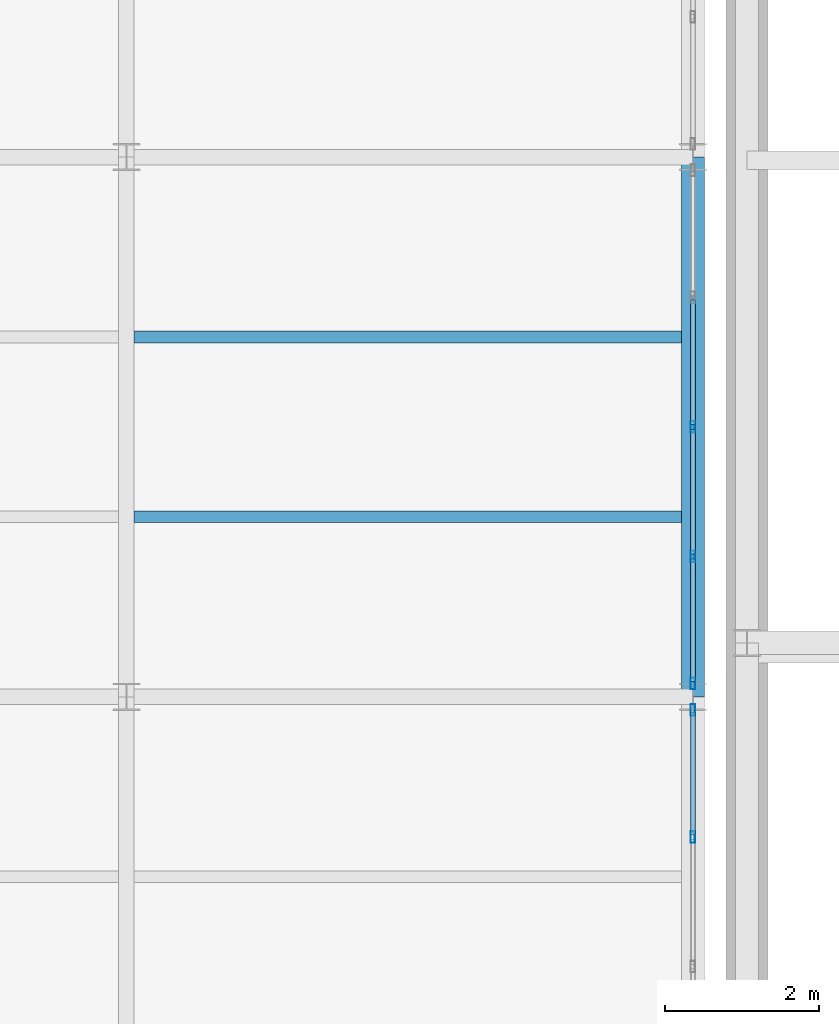
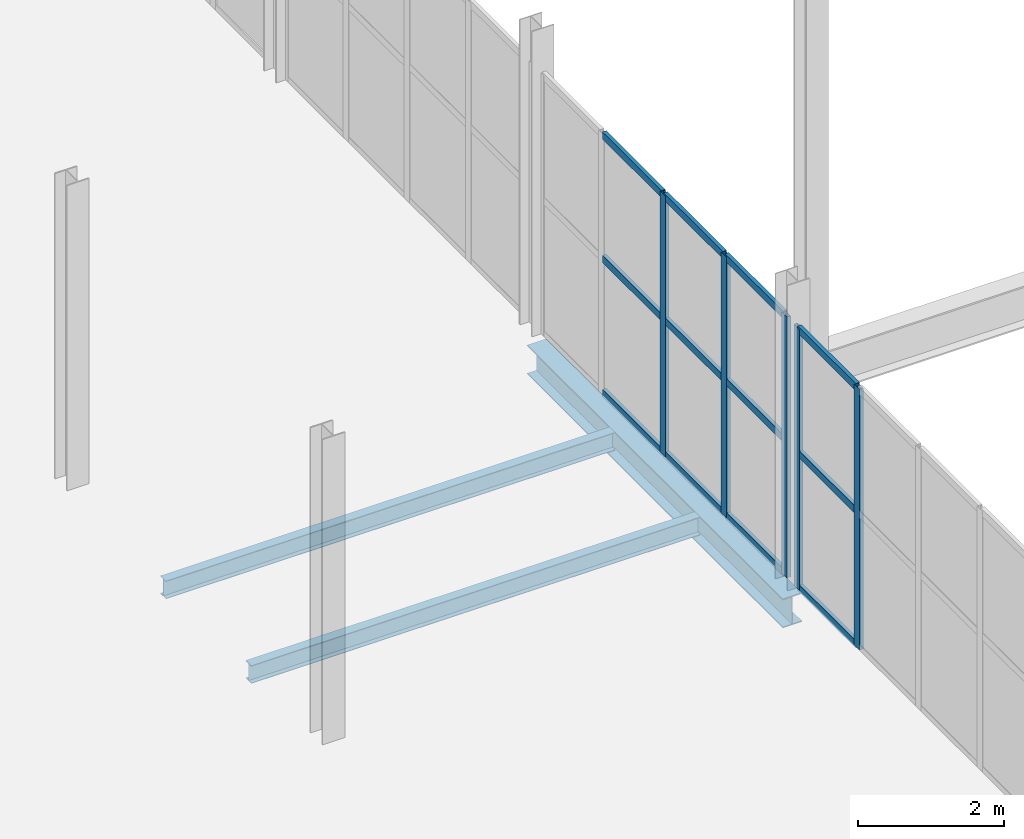
# One storey, part 51 of 218: 17 members, 3 beams, 2 elements without a shape of their own.
"""IFC4 building model written with IfcOpenShell, lengths in metres."""

from ifc_helpers import new_model, si_unit, direction, frame, origin, origin_2d, place, context, subcontext, project, spatial, hollow_rectangle, i_section, extrude, material, material_profile, profile_set, type_object, element, aggregate, save


model = new_model("IFC4")

# Units and contexts
model_context = context("Model", 3, precision=1e-05, world=origin(), true_north=direction((0.0, 1.0)))
body_context = subcontext(model_context, "Body", "Model", "MODEL_VIEW")
ifc_project = project(units=[si_unit("LENGTHUNIT", "METRE"), si_unit("AREAUNIT", "SQUARE_METRE"), si_unit("VOLUMEUNIT", "CUBIC_METRE"), si_unit("PLANEANGLEUNIT", "RADIAN"), si_unit("MASSUNIT", "GRAM", prefix="KILO")], contexts=[model_context])

# Site, building, storey
site_placement = place(None, origin())
site = spatial("IfcSite", under=ifc_project, at=site_placement, CompositionType="ELEMENT")
building_placement = place(site_placement, origin())
building = spatial("IfcBuilding", under=site, at=building_placement, Name="Kazenagashi Tramway Depot", CompositionType="ELEMENT")
storey_placement = place(building_placement, frame((0.0, 0.0, 6.0)))
storey = spatial("IfcBuildingStorey", under=building, at=storey_placement, Name="L02", CompositionType="ELEMENT", Elevation=6.0)

# Beams
ifc_material_1 = material(Name="Steel SN400B", Category="steel")
ifc_material_profile_1 = material_profile(ifc_material_1, i_section(OverallWidth=0.15, OverallDepth=0.3, WebThickness=0.0065, FlangeThickness=0.009, at=origin_2d()), Name="H-300x150x6.5x9")
ifc_profile_set_1 = profile_set([ifc_material_profile_1], Name="Steel SN400B")
beam_type_1 = type_object("IfcBeamType", Name="J-02", PredefinedType="JOIST", material=ifc_profile_set_1)
for number, where, z_axis, x_axis, name in (
    (1, (36.85, 37.333, -0.4), (1.0, 0.0, 0.0), (0.0, 1.0, 0.0), "Beam J-02 BM-0198"),
    (2, (36.85, 39.667, -0.4), (1.0, 0.0, 0.0), (0.0, 1.0, 0.0), "Beam J-02 BM-0199"),
):
    element("IfcBeam", number, at=place(storey_placement, frame(where, z_axis=z_axis, x_axis=x_axis)), inside=storey, type_object=beam_type_1, Name=name, PredefinedType="JOIST", context=body_context, shape_type="SweptSolid", body=[
        extrude(i_section(OverallWidth=0.15, OverallDepth=0.3, WebThickness=0.0065, FlangeThickness=0.009, at=origin_2d()), origin(), (0.0, 0.0, 1.0), 7.1),
    ])

# Curtain wall, members
ifc_material_2 = material(Name="Anodised Aluminium and Low-E Glazing", Category="aluminium")
curtain_wall_type = type_object("IfcCurtainWallType", Name="CW-34", PredefinedType="USERDEFINED", material=ifc_material_2)
curtain_wall_1_placement = place(storey_placement, origin())
curtain_wall_1 = element("IfcCurtainWall", 3, at=curtain_wall_1_placement, inside=storey, type_object=curtain_wall_type, Name="Industrial Glazed Screen CW-34 CW-0188", ObjectType="GLAZED SCREEN", PredefinedType="USERDEFINED")
ifc_material_3 = material(Name="Anodised Aluminium", Category="aluminium")
ifc_material_profile_2 = material_profile(ifc_material_3, hollow_rectangle(XDim=0.06, YDim=0.15, WallThickness=0.004, at=origin_2d()), Name="RHS-150x60x4")
ifc_profile_set_2 = profile_set([ifc_material_profile_2], Name="Anodised Aluminium")
member_type_1 = type_object("IfcMemberType", Name="ML-01", PredefinedType="MULLION", material=ifc_profile_set_2)
member_1_placement = place(storey_placement, frame((44.1, 33.18, 0.0), z_axis=(0.0, 0.0, 1.0), x_axis=(-1.0, 0.0, 0.0)))
member_1 = element("IfcMember", 4, at=member_1_placement, type_object=member_type_1, Name="CW-34 mullion 4", PredefinedType="MULLION", context=body_context, shape_type="SweptSolid", body=[
    extrude(hollow_rectangle(XDim=0.06, YDim=0.15, WallThickness=0.004, at=origin_2d()), origin(), (0.0, 0.0, 1.0), 4.362),
])
member_2_placement = place(storey_placement, frame((44.1, 34.83, 0.0), z_axis=(0.0, 0.0, 1.0), x_axis=(-1.0, 0.0, 0.0)))
member_2 = element("IfcMember", 5, at=member_2_placement, type_object=member_type_1, Name="CW-34 mullion 5", PredefinedType="MULLION", context=body_context, shape_type="SweptSolid", body=[
    extrude(hollow_rectangle(XDim=0.06, YDim=0.15, WallThickness=0.004, at=origin_2d()), origin(), (0.0, 0.0, 1.0), 4.362),
])

curtain_wall_2_placement = place(storey_placement, origin())
curtain_wall_2 = element("IfcCurtainWall", 6, at=curtain_wall_2_placement, inside=storey, type_object=curtain_wall_type, Name="Industrial Glazed Screen CW-34 CW-0190", ObjectType="GLAZED SCREEN", PredefinedType="USERDEFINED")
member_3_placement = place(storey_placement, frame((44.1, 35.17, 0.0), z_axis=(0.0, 0.0, 1.0), x_axis=(-1.0, 0.0, 0.0)))
member_3 = element("IfcMember", 7, at=member_3_placement, type_object=member_type_1, Name="CW-34 mullion 1", PredefinedType="MULLION", context=body_context, shape_type="SweptSolid", body=[
    extrude(hollow_rectangle(XDim=0.06, YDim=0.15, WallThickness=0.004, at=origin_2d()), origin(), (0.0, 0.0, 1.0), 4.362),
])
member_4_placement = place(storey_placement, frame((44.1, 36.82, 0.0), z_axis=(0.0, 0.0, 1.0), x_axis=(-1.0, 0.0, 0.0)))
member_4 = element("IfcMember", 8, at=member_4_placement, type_object=member_type_1, Name="CW-34 mullion 2", PredefinedType="MULLION", context=body_context, shape_type="SweptSolid", body=[
    extrude(hollow_rectangle(XDim=0.06, YDim=0.15, WallThickness=0.004, at=origin_2d()), origin(), (0.0, 0.0, 1.0), 4.362),
])
member_5_placement = place(storey_placement, frame((44.1, 38.5, 0.0), z_axis=(0.0, 0.0, 1.0), x_axis=(-1.0, 0.0, 0.0)))
member_5 = element("IfcMember", 9, at=member_5_placement, type_object=member_type_1, Name="CW-34 mullion 3", PredefinedType="MULLION", context=body_context, shape_type="SweptSolid", body=[
    extrude(hollow_rectangle(XDim=0.06, YDim=0.15, WallThickness=0.004, at=origin_2d()), origin(), (0.0, 0.0, 1.0), 4.362),
])

# Beam
ifc_material_4 = material(Name="Steel SN490B", Category="steel")
ifc_material_profile_3 = material_profile(ifc_material_4, i_section(OverallWidth=0.3, OverallDepth=0.488, WebThickness=0.011, FlangeThickness=0.018, at=origin_2d()), Name="H-488x300x11x18")
ifc_profile_set_3 = profile_set([ifc_material_profile_3], Name="Steel SN490B")
beam_type_2 = type_object("IfcBeamType", Name="SP-02", PredefinedType="SPANDREL", material=ifc_profile_set_3)
beam_placement = place(storey_placement, frame((44.1, 35.0, -0.494), z_axis=(0.0, 1.0, 0.0), x_axis=(-1.0, 0.0, 0.0)))
element("IfcBeam", 10, at=beam_placement, inside=storey, type_object=beam_type_2, Name="Beam SP-02 BM-0214", PredefinedType="SPANDREL", context=body_context, shape_type="SweptSolid", body=[
    extrude(i_section(OverallWidth=0.3, OverallDepth=0.488, WebThickness=0.011, FlangeThickness=0.018, at=origin_2d()), origin(), (0.0, 0.0, 1.0), 7.0),
])

# Member
ifc_material_profile_4 = material_profile(ifc_material_3, hollow_rectangle(XDim=0.06, YDim=0.12, WallThickness=0.004, at=origin_2d()), Name="RHS-120x60x4")
ifc_profile_set_4 = profile_set([ifc_material_profile_4], Name="Anodised Aluminium")
member_type_2 = type_object("IfcMemberType", Name="TR-01", PredefinedType="USERDEFINED", material=ifc_profile_set_4)
member_6_placement = place(storey_placement, frame((44.1, 33.21, 0.03), z_axis=(0.0, 1.0, 0.0), x_axis=(-1.0, 0.0, 0.0)))
member_6 = element("IfcMember", 11, at=member_6_placement, type_object=member_type_2, Name="CW-34 transom 4.1", ObjectType="TRANSOM", PredefinedType="USERDEFINED", context=body_context, shape_type="SweptSolid", body=[
    extrude(hollow_rectangle(XDim=0.06, YDim=0.12, WallThickness=0.004, at=origin_2d()), origin(), (0.0, 0.0, 1.0), 1.59),
])

member_7_placement = place(storey_placement, frame((44.1, 33.21, 2.268), z_axis=(0.0, 1.0, 0.0), x_axis=(-1.0, 0.0, 0.0)))
member_7 = element("IfcMember", 12, at=member_7_placement, type_object=member_type_2, Name="CW-34 transom 4.2", ObjectType="TRANSOM", PredefinedType="USERDEFINED", context=body_context, shape_type="SweptSolid", body=[
    extrude(hollow_rectangle(XDim=0.06, YDim=0.12, WallThickness=0.004, at=origin_2d()), origin(), (0.0, 0.0, 1.0), 1.59),
])

member_8_placement = place(storey_placement, frame((44.1, 33.21, 4.332), z_axis=(0.0, 1.0, 0.0), x_axis=(-1.0, 0.0, 0.0)))
member_8 = element("IfcMember", 13, at=member_8_placement, type_object=member_type_2, Name="CW-34 transom 4.3", ObjectType="TRANSOM", PredefinedType="USERDEFINED", context=body_context, shape_type="SweptSolid", body=[
    extrude(hollow_rectangle(XDim=0.06, YDim=0.12, WallThickness=0.004, at=origin_2d()), origin(), (0.0, 0.0, 1.0), 1.59),
])

aggregate(curtain_wall_1, [member_1, member_2, member_6, member_7, member_8])

member_9_placement = place(storey_placement, frame((44.1, 35.2, 0.03), z_axis=(0.0, 1.0, 0.0), x_axis=(-1.0, 0.0, 0.0)))
member_9 = element("IfcMember", 14, at=member_9_placement, type_object=member_type_2, Name="CW-34 transom 1.1", ObjectType="TRANSOM", PredefinedType="USERDEFINED", context=body_context, shape_type="SweptSolid", body=[
    extrude(hollow_rectangle(XDim=0.06, YDim=0.12, WallThickness=0.004, at=origin_2d()), origin(), (0.0, 0.0, 1.0), 1.59),
])

member_10_placement = place(storey_placement, frame((44.1, 35.2, 2.268), z_axis=(0.0, 1.0, 0.0), x_axis=(-1.0, 0.0, 0.0)))
member_10 = element("IfcMember", 15, at=member_10_placement, type_object=member_type_2, Name="CW-34 transom 1.2", ObjectType="TRANSOM", PredefinedType="USERDEFINED", context=body_context, shape_type="SweptSolid", body=[
    extrude(hollow_rectangle(XDim=0.06, YDim=0.12, WallThickness=0.004, at=origin_2d()), origin(), (0.0, 0.0, 1.0), 1.59),
])

member_11_placement = place(storey_placement, frame((44.1, 35.2, 4.332), z_axis=(0.0, 1.0, 0.0), x_axis=(-1.0, 0.0, 0.0)))
member_11 = element("IfcMember", 16, at=member_11_placement, type_object=member_type_2, Name="CW-34 transom 1.3", ObjectType="TRANSOM", PredefinedType="USERDEFINED", context=body_context, shape_type="SweptSolid", body=[
    extrude(hollow_rectangle(XDim=0.06, YDim=0.12, WallThickness=0.004, at=origin_2d()), origin(), (0.0, 0.0, 1.0), 1.59),
])

member_12_placement = place(storey_placement, frame((44.1, 36.85, 0.03), z_axis=(0.0, 1.0, 0.0), x_axis=(-1.0, 0.0, 0.0)))
member_12 = element("IfcMember", 17, at=member_12_placement, type_object=member_type_2, Name="CW-34 transom 2.1", ObjectType="TRANSOM", PredefinedType="USERDEFINED", context=body_context, shape_type="SweptSolid", body=[
    extrude(hollow_rectangle(XDim=0.06, YDim=0.12, WallThickness=0.004, at=origin_2d()), origin(), (0.0, 0.0, 1.0), 1.62),
])

member_13_placement = place(storey_placement, frame((44.1, 36.85, 2.268), z_axis=(0.0, 1.0, 0.0), x_axis=(-1.0, 0.0, 0.0)))
member_13 = element("IfcMember", 18, at=member_13_placement, type_object=member_type_2, Name="CW-34 transom 2.2", ObjectType="TRANSOM", PredefinedType="USERDEFINED", context=body_context, shape_type="SweptSolid", body=[
    extrude(hollow_rectangle(XDim=0.06, YDim=0.12, WallThickness=0.004, at=origin_2d()), origin(), (0.0, 0.0, 1.0), 1.62),
])

member_14_placement = place(storey_placement, frame((44.1, 36.85, 4.332), z_axis=(0.0, 1.0, 0.0), x_axis=(-1.0, 0.0, 0.0)))
member_14 = element("IfcMember", 19, at=member_14_placement, type_object=member_type_2, Name="CW-34 transom 2.3", ObjectType="TRANSOM", PredefinedType="USERDEFINED", context=body_context, shape_type="SweptSolid", body=[
    extrude(hollow_rectangle(XDim=0.06, YDim=0.12, WallThickness=0.004, at=origin_2d()), origin(), (0.0, 0.0, 1.0), 1.62),
])

member_15_placement = place(storey_placement, frame((44.1, 38.53, 0.03), z_axis=(0.0, 1.0, 0.0), x_axis=(-1.0, 0.0, 0.0)))
member_15 = element("IfcMember", 20, at=member_15_placement, type_object=member_type_2, Name="CW-34 transom 3.1", ObjectType="TRANSOM", PredefinedType="USERDEFINED", context=body_context, shape_type="SweptSolid", body=[
    extrude(hollow_rectangle(XDim=0.06, YDim=0.12, WallThickness=0.004, at=origin_2d()), origin(), (0.0, 0.0, 1.0), 1.62),
])

member_16_placement = place(storey_placement, frame((44.1, 38.53, 2.268), z_axis=(0.0, 1.0, 0.0), x_axis=(-1.0, 0.0, 0.0)))
member_16 = element("IfcMember", 21, at=member_16_placement, type_object=member_type_2, Name="CW-34 transom 3.2", ObjectType="TRANSOM", PredefinedType="USERDEFINED", context=body_context, shape_type="SweptSolid", body=[
    extrude(hollow_rectangle(XDim=0.06, YDim=0.12, WallThickness=0.004, at=origin_2d()), origin(), (0.0, 0.0, 1.0), 1.62),
])

member_17_placement = place(storey_placement, frame((44.1, 38.53, 4.332), z_axis=(0.0, 1.0, 0.0), x_axis=(-1.0, 0.0, 0.0)))
member_17 = element("IfcMember", 22, at=member_17_placement, type_object=member_type_2, Name="CW-34 transom 3.3", ObjectType="TRANSOM", PredefinedType="USERDEFINED", context=body_context, shape_type="SweptSolid", body=[
    extrude(hollow_rectangle(XDim=0.06, YDim=0.12, WallThickness=0.004, at=origin_2d()), origin(), (0.0, 0.0, 1.0), 1.62),
])

aggregate(curtain_wall_2, [member_3, member_4, member_5, member_9, member_10, member_11, member_12, member_13, member_14, member_15, member_16, member_17])

save(model, "model.ifc")
